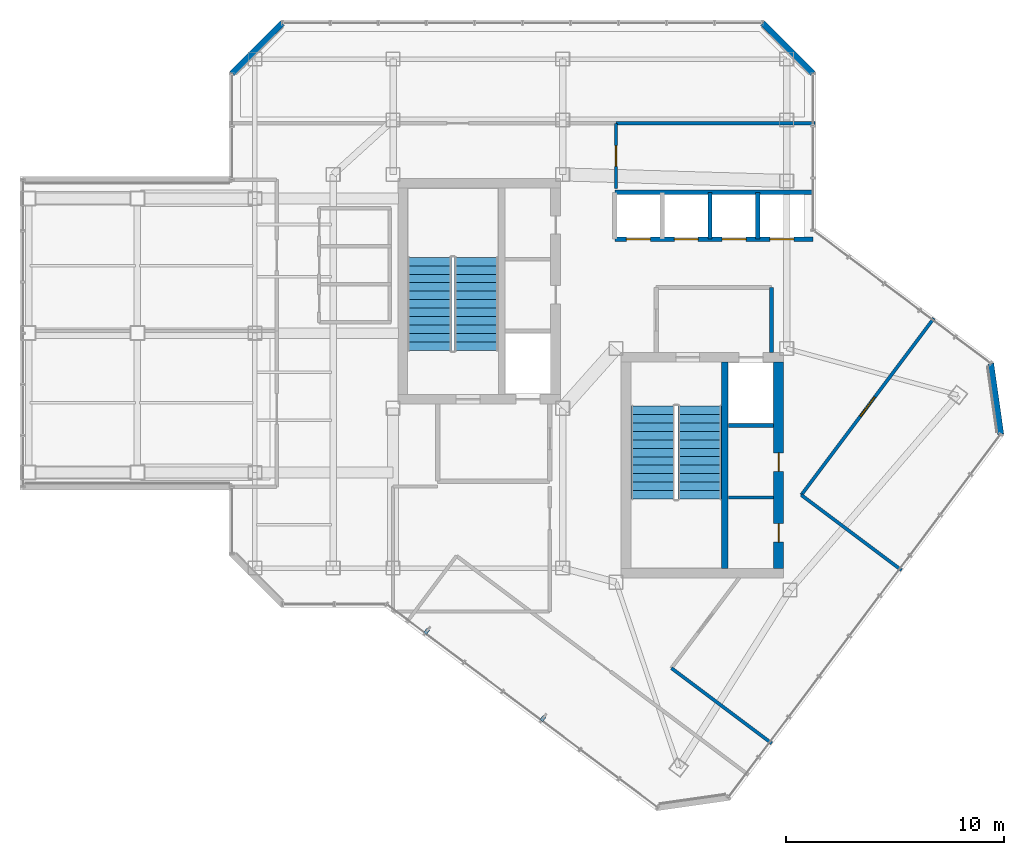
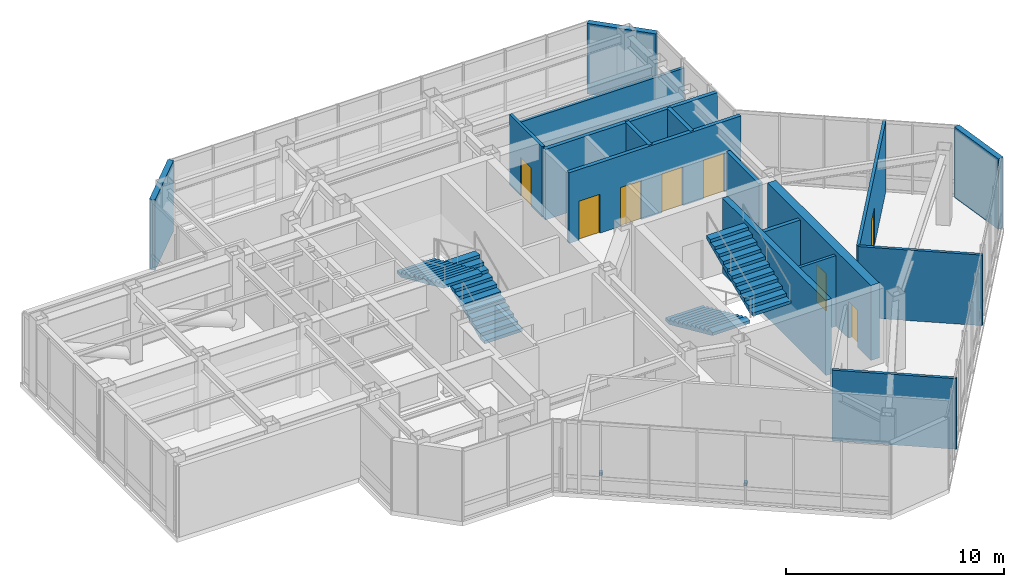
# One storey, part 19 of 22: 17 walls, 8 doors, 4 stair flights, 2 discrete accessories, 8 openings, 2 elements without a shape of their own.
"""IFC4 building model written with IfcOpenShell, lengths in metres."""

from ifc_helpers import new_model, si_unit, direction, frame, frame_2d, origin, origin_2d, place, context, subcontext, project, spatial, polyline, rectangle, outline, extrude, material, layer, layer_set, type_object, element, fill, aggregate, save


model = new_model("IFC4")

# Units and contexts
model_context = context("Model", 3, precision=1e-05, world=origin(), true_north=direction((0.0, 1.0)))
body_context = subcontext(model_context, "Body", "Model", "MODEL_VIEW")
ifc_project = project(units=[si_unit("LENGTHUNIT", "METRE"), si_unit("AREAUNIT", "SQUARE_METRE"), si_unit("VOLUMEUNIT", "CUBIC_METRE"), si_unit("PLANEANGLEUNIT", "RADIAN"), si_unit("MASSUNIT", "GRAM", prefix="KILO")], contexts=[model_context])

# Site, building, storey
site_placement = place(None, origin())
site = spatial("IfcSite", under=ifc_project, at=site_placement, CompositionType="ELEMENT")
building_placement = place(site_placement, origin())
building = spatial("IfcBuilding", under=site, at=building_placement, Name="Hatsunagi Terrace Concourse", CompositionType="ELEMENT")
storey_placement = place(building_placement, frame((0.0, 0.0, 257.550048828125)))
storey = spatial("IfcBuildingStorey", under=building, at=storey_placement, Name="L68", CompositionType="ELEMENT", Elevation=257.550048828125)

# Wall, openings, doors
ifc_material_1 = material(Name="Concrete Fc42", Category="concrete")
ifc_layer_1 = layer(ifc_material_1, 0.449951171875)
ifc_layer_set_1 = layer_set([ifc_layer_1], Name="CoreShearWall_Fc42_450")
wall_type_1 = type_object("IfcWallType", Name="CoreShearWall_Fc42_450", PredefinedType="SHEAR", material=ifc_layer_set_1)
wall_1_placement = place(storey_placement, frame((43.27490234375, 25.18994140625, 0.0), z_axis=(0.0, 0.0, 1.0), x_axis=(0.0, 1.0, 0.0)))
wall_1 = element("IfcWall", 1, at=wall_1_placement, inside=storey, type_object=wall_type_1, Name="Core B Shear Wall E L68", PredefinedType="SHEAR", context=body_context, shape_type="SweptSolid", body=[
    extrude(rectangle(XDim=9.47998046875, YDim=0.449951171875, at=frame_2d((4.739990234375, 0.0))), origin(), (0.0, 0.0, 1.0), 4.199951171875),
])
opening_1_placement = place(wall_1_placement, frame((1.2099609375, 0.0, 0.0)))
opening_1 = element("IfcOpeningElement", 2, at=opening_1_placement, cuts=wall_1, Name="Opening DR-085", PredefinedType="OPENING", context=body_context, shape_type="SweptSolid", body=[
    extrude(rectangle(XDim=0.85009765625, YDim=2.080078125, at=frame_2d((0.425048828125, 1.0400390625))), frame((0.0, 0.23486328125, 0.0), z_axis=(0.0, -1.0, 0.0), x_axis=(1.0, 0.0, 0.0)), (0.0, 0.0, 1.0), 0.469970703125),
])
opening_2_placement = place(wall_1_placement, frame((4.4599609375, 0.0, 0.0)))
opening_2 = element("IfcOpeningElement", 3, at=opening_2_placement, cuts=wall_1, Name="Opening DR-085", PredefinedType="OPENING", context=body_context, shape_type="SweptSolid", body=[
    extrude(rectangle(XDim=0.85009765625, YDim=2.080078125, at=frame_2d((0.425048828125, 1.0400390625))), frame((0.0, 0.23486328125, 0.0), z_axis=(0.0, -1.0, 0.0), x_axis=(1.0, 0.0, 0.0)), (0.0, 0.0, 1.0), 0.469970703125),
])
ifc_material_2 = material(Name="Painted steel", Category="steel")
door_type_1 = type_object("IfcDoorType", Name="RiserAccessDoor_EI60_850", OperationType="NOTDEFINED", PredefinedType="DOOR", material=ifc_material_2)
door_1_placement = place(opening_1_placement, origin())
door_1 = element("IfcDoor", 4, at=door_1_placement, inside=storey, type_object=door_type_1, Name="Core B Riser Door L68-1", OperationType="SINGLE_SWING_RIGHT", OverallHeight=2.080078125, OverallWidth=0.85009765625, PredefinedType="DOOR", context=body_context, shape_type="SweptSolid", body=[
    extrude(rectangle(XDim=0.85009765625, YDim=2.080078125, at=frame_2d((0.425048828125, 1.0400390625))), frame((0.0, 0.02490234375, 0.0), z_axis=(0.0, -1.0, 0.0), x_axis=(1.0, 0.0, 0.0)), (0.0, 0.0, 1.0), 0.050048828125),
])
fill(opening_1, door_1)
door_2_placement = place(opening_2_placement, origin())
door_2 = element("IfcDoor", 5, at=door_2_placement, inside=storey, type_object=door_type_1, Name="Core B Riser Door L68-2", OperationType="SINGLE_SWING_RIGHT", OverallHeight=2.080078125, OverallWidth=0.85009765625, PredefinedType="DOOR", context=body_context, shape_type="SweptSolid", body=[
    extrude(rectangle(XDim=0.85009765625, YDim=2.080078125, at=frame_2d((0.425048828125, 1.0400390625))), frame((0.0, 0.02490234375, 0.0), z_axis=(0.0, -1.0, 0.0), x_axis=(1.0, 0.0, 0.0)), (0.0, 0.0, 1.0), 0.050048828125),
])
fill(opening_2, door_2)

# Walls
ifc_material_3 = material(Name="Concrete Fc48", Category="concrete")
ifc_layer_2 = layer(ifc_material_3, 0.300048828125)
ifc_layer_set_2 = layer_set([ifc_layer_2], Name="CoreStairDivider_Fc48_300")
wall_type_2 = type_object("IfcWallType", Name="CoreStairDivider_Fc48_300", PredefinedType="SHEAR", material=ifc_layer_set_2)
wall_2_placement = place(storey_placement, frame((40.81005859375, 25.18994140625, 0.0), z_axis=(0.0, 0.0, 1.0), x_axis=(0.0, 1.0, 0.0)))
element("IfcWall", 6, at=wall_2_placement, inside=storey, type_object=wall_type_2, Name="Core B Shear Wall D L68", PredefinedType="SHEAR", context=body_context, shape_type="SweptSolid", body=[
    extrude(rectangle(XDim=9.47998046875, YDim=0.300048828125, at=frame_2d((4.739990234375, 0.0))), origin(), (0.0, 0.0, 1.0), 4.199951171875),
])
ifc_material_4 = material(Name="Acoustic mineral board", Category="gypsum")
ifc_layer_3 = layer(ifc_material_4, 0.14990234375)
ifc_layer_set_3 = layer_set([ifc_layer_3], Name="PartitionWall_EI60_150")
wall_type_3 = type_object("IfcWallType", Name="PartitionWall_EI60_150", PredefinedType="PARTITIONING", material=ifc_layer_set_3)
wall_3_placement = place(storey_placement, frame((40.969970703125, 28.449951171875, 0.0), z_axis=(0.0, 0.0, 1.0), x_axis=(1.0, 0.0, 0.0)))
element("IfcWall", 7, at=wall_3_placement, inside=storey, type_object=wall_type_3, Name="Interior Partition IW-L68-004", PredefinedType="PARTITIONING", context=body_context, shape_type="SweptSolid", body=[
    extrude(rectangle(XDim=2.080078125, YDim=0.14990234375, at=frame_2d((1.0400390625, 0.0))), origin(), (0.0, 0.0, 1.0), 3.949951171875),
])
wall_4_placement = place(storey_placement, frame((35.800048828125, 45.64990234375, 0.0), z_axis=(0.0, 0.0, 1.0), x_axis=(1.0, 0.0, 0.0)))
element("IfcWall", 8, at=wall_4_placement, inside=storey, type_object=wall_type_3, Name="Interior Partition IW-L68-029", PredefinedType="PARTITIONING", context=body_context, shape_type="SweptSolid", body=[
    extrude(rectangle(XDim=9.159912109375, YDim=0.14990234375, at=frame_2d((4.580078125, 0.0))), origin(), (0.0, 0.0, 1.0), 3.35693359375),
])

# Wall, opening, door
wall_5_placement = place(storey_placement, frame((35.800048828125, 42.64990234375, 0.0), z_axis=(0.0, 0.0, 1.0), x_axis=(0.0, 1.0, 0.0)))
wall_5 = element("IfcWall", 9, at=wall_5_placement, inside=storey, type_object=wall_type_3, Name="Interior Partition IW-L68-030", PredefinedType="PARTITIONING", context=body_context, shape_type="SweptSolid", body=[
    extrude(rectangle(XDim=3.0, YDim=0.14990234375, at=frame_2d((1.5, 0.0))), origin(), (0.0, 0.0, 1.0), 3.949951171875),
])
opening_3_placement = place(wall_5_placement, frame((1.02490234375, 0.0, 0.0)))
opening_3 = element("IfcOpeningElement", 10, at=opening_3_placement, cuts=wall_5, Name="Opening DR-095", PredefinedType="OPENING", context=body_context, shape_type="SweptSolid", body=[
    extrude(rectangle(XDim=0.949951171875, YDim=2.14990234375, at=frame_2d((0.47509765625, 1.074951171875))), frame((0.0, 0.0849609375, 0.0), z_axis=(0.0, -1.0, 0.0), x_axis=(1.0, 0.0, 0.0)), (0.0, 0.0, 1.0), 0.169921875),
])
ifc_material_5 = material(Name="Hardwood timber", Category="wood")
door_type_2 = type_object("IfcDoorType", Name="InteriorSuiteDoor_EI30_950", OperationType="NOTDEFINED", PredefinedType="DOOR", material=ifc_material_5)
door_3_placement = place(opening_3_placement, origin())
door_3 = element("IfcDoor", 11, at=door_3_placement, inside=storey, type_object=door_type_2, Name="Wine Tasting Salon L68-SLNE Door", OperationType="SINGLE_SWING_RIGHT", OverallHeight=2.14990234375, OverallWidth=0.949951171875, PredefinedType="DOOR", context=body_context, shape_type="SweptSolid", body=[
    extrude(rectangle(XDim=0.949951171875, YDim=2.14990234375, at=frame_2d((0.47509765625, 1.074951171875))), frame((0.0, 0.02490234375, 0.0), z_axis=(0.0, -1.0, 0.0), x_axis=(1.0, 0.0, 0.0)), (0.0, 0.0, 1.0), 0.050048828125),
])
fill(opening_3, door_3)

# Walls
for number, where, z_axis, x_axis, name in (
    (12, (38.35009765625, 20.60009765625, 0.0), (0.0, 0.0, 1.0), (0.79998982729, -0.600013563374, 0.0), "Interior Partition IW-L68-039"),
    (13, (44.320068359375, 28.56005859375, 0.0), (0.0, 0.0, 1.0), (0.79998982729, -0.600013563374, 0.0), "Interior Partition IW-L68-040"),
):
    element("IfcWall", number, at=place(storey_placement, frame(where, z_axis=z_axis, x_axis=x_axis)), inside=storey, type_object=wall_type_3, Name=name, PredefinedType="PARTITIONING", context=body_context, shape_type="SweptSolid", body=[
        extrude(rectangle(XDim=5.760009765625, YDim=0.14990234375, at=frame_2d((2.8798828125, 0.0))), origin(), (0.0, 0.0, 1.0), 3.949951171875),
    ])

# Wall, opening, door
wall_6_placement = place(storey_placement, frame((44.320068359375, 28.56005859375, 0.0), z_axis=(0.0, 0.0, 1.0), x_axis=(0.6, 0.8, 0.0)))
wall_6 = element("IfcWall", 14, at=wall_6_placement, inside=storey, type_object=wall_type_3, Name="Interior Partition IW-L68-042", PredefinedType="PARTITIONING", context=body_context, shape_type="SweptSolid", body=[
    extrude(rectangle(XDim=10.159912109375, YDim=0.14990234375, at=frame_2d((5.080078125, 0.0))), origin(), (0.0, 0.0, 1.0), 3.949951171875),
])
opening_4_placement = place(wall_6_placement, frame((4.530029296875, 0.0, 0.0)))
opening_4 = element("IfcOpeningElement", 15, at=opening_4_placement, cuts=wall_6, Name="Opening DR-110W", PredefinedType="OPENING", context=body_context, shape_type="SweptSolid", body=[
    extrude(rectangle(XDim=1.10009765625, YDim=2.159912109375, at=frame_2d((0.550048828125, 1.080078125))), frame((0.0, 0.0849609375, 0.0), z_axis=(0.0, -1.0, 0.0), x_axis=(1.0, 0.0, 0.0)), (0.0, 0.0, 1.0), 0.169921875),
])
ifc_material_6 = material(Name="Hardwood timber", Category="wood")
door_type_3 = type_object("IfcDoorType", Name="SuiteWideDoor_EI30_1100", OperationType="NOTDEFINED", PredefinedType="DOOR", material=ifc_material_6)
door_4_placement = place(opening_4_placement, origin())
door_4 = element("IfcDoor", 16, at=door_4_placement, inside=storey, type_object=door_type_3, Name="VIP Lounge L68-PDS2 Door", OperationType="SINGLE_SWING_LEFT", OverallHeight=2.159912109375, OverallWidth=1.10009765625, PredefinedType="DOOR", context=body_context, shape_type="SweptSolid", body=[
    extrude(rectangle(XDim=1.10009765625, YDim=2.159912109375, at=frame_2d((0.550048828125, 1.080078125))), frame((0.0, 0.02490234375, 0.0), z_axis=(0.0, -1.0, 0.0), x_axis=(1.0, 0.0, 0.0)), (0.0, 0.0, 1.0), 0.050048828125),
])
fill(opening_4, door_4)

# Walls
ifc_material_7 = material(Name="Acoustic mineral board", Category="gypsum")
ifc_layer_4 = layer(ifc_material_7, 0.199951171875)
ifc_layer_set_4 = layer_set([ifc_layer_4], Name="ShaftWall_EI120_200")
wall_type_4 = type_object("IfcWallType", Name="ShaftWall_EI120_200", PredefinedType="STANDARD", material=ifc_layer_set_4)
wall_7_placement = place(storey_placement, frame((40.969970703125, 31.760009765625, 0.0), z_axis=(0.0, 0.0, 1.0), x_axis=(1.0, 0.0, 0.0)))
element("IfcWall", 17, at=wall_7_placement, inside=storey, type_object=wall_type_4, Name="Interior Partition IW-L68-003", PredefinedType="STANDARD", context=body_context, shape_type="SweptSolid", body=[
    extrude(rectangle(XDim=2.080078125, YDim=0.199951171875, at=frame_2d((1.0400390625, 0.0))), origin(), (0.0, 0.0, 1.0), 3.949951171875),
])
wall_8_placement = place(storey_placement, frame((42.949951171875, 35.1201171875, 0.0), z_axis=(0.0, 0.0, 1.0), x_axis=(0.0, 1.0, 0.0)))
element("IfcWall", 18, at=wall_8_placement, inside=storey, type_object=wall_type_4, Name="Interior Partition IW-L68-009", PredefinedType="STANDARD", context=body_context, shape_type="SweptSolid", body=[
    extrude(rectangle(XDim=2.97998046875, YDim=0.199951171875, at=frame_2d((1.489990234375, 0.0))), origin(), (0.0, 0.0, 1.0), 3.949951171875),
])
wall_9_placement = place(storey_placement, frame((35.75, 42.47998046875, 0.0), z_axis=(0.0, 0.0, 1.0), x_axis=(1.0, 0.0, 0.0)))
element("IfcWall", 19, at=wall_9_placement, inside=storey, type_object=wall_type_4, Name="Interior Partition IW-L68-011", PredefinedType="STANDARD", context=body_context, shape_type="SweptSolid", body=[
    extrude(rectangle(XDim=9.110107421875, YDim=0.199951171875, at=frame_2d((4.55517578125, 0.0))), origin(), (0.0, 0.0, 1.0), 3.949951171875),
])
for number, where, z_axis, x_axis, name in (
    (20, (40.1201171875, 40.320068359375, 0.0), (0.0, 0.0, 1.0), (0.0, 1.0, 0.0), "Interior Partition IW-L68-014"),
    (21, (42.320068359375, 40.320068359375, 0.0), (0.0, 0.0, 1.0), (0.0, 1.0, 0.0), "Interior Partition IW-L68-015"),
):
    element("IfcWall", number, at=place(storey_placement, frame(where, z_axis=z_axis, x_axis=x_axis)), inside=storey, type_object=wall_type_4, Name=name, PredefinedType="STANDARD", context=body_context, shape_type="SweptSolid", body=[
        extrude(rectangle(XDim=2.159912109375, YDim=0.199951171875, at=frame_2d((1.080078125, 0.0))), origin(), (0.0, 0.0, 1.0), 3.949951171875),
    ])

# Wall, openings, doors
wall_10_placement = place(storey_placement, frame((35.75, 40.320068359375, 0.0), z_axis=(0.0, 0.0, 1.0), x_axis=(1.0, 0.0, 0.0)))
wall_10 = element("IfcWall", 22, at=wall_10_placement, inside=storey, type_object=wall_type_4, Name="Interior Partition IW-L68-016", PredefinedType="STANDARD", context=body_context, shape_type="SweptSolid", body=[
    extrude(rectangle(XDim=9.110107421875, YDim=0.199951171875, at=frame_2d((4.55517578125, 0.0))), origin(), (0.0, 0.0, 1.0), 3.949951171875),
])
opening_5_placement = place(wall_10_placement, frame((0.530029296875, 0.0, 0.0)))
opening_5 = element("IfcOpeningElement", 23, at=opening_5_placement, cuts=wall_10, Name="Opening LD-04", PredefinedType="OPENING", context=body_context, shape_type="SweptSolid", body=[
    extrude(rectangle(XDim=1.10009765625, YDim=2.179931640625, at=frame_2d((0.550048828125, 1.08984375))), frame((0.0, 0.10986328125, 0.0), z_axis=(0.0, -1.0, 0.0), x_axis=(1.0, 0.0, 0.0)), (0.0, 0.0, 1.0), 0.219970703125),
])
opening_6_placement = place(wall_10_placement, frame((2.72998046875, 0.0, 0.0)))
opening_6 = element("IfcOpeningElement", 24, at=opening_6_placement, cuts=wall_10, Name="Opening LD-04", PredefinedType="OPENING", context=body_context, shape_type="SweptSolid", body=[
    extrude(rectangle(XDim=1.10009765625, YDim=2.179931640625, at=frame_2d((0.550048828125, 1.08984375))), frame((0.0, 0.10986328125, 0.0), z_axis=(0.0, -1.0, 0.0), x_axis=(1.0, 0.0, 0.0)), (0.0, 0.0, 1.0), 0.219970703125),
])
opening_7_placement = place(wall_10_placement, frame((4.929931640625, 0.0, 0.0)))
opening_7 = element("IfcOpeningElement", 25, at=opening_7_placement, cuts=wall_10, Name="Opening LD-04", PredefinedType="OPENING", context=body_context, shape_type="SweptSolid", body=[
    extrude(rectangle(XDim=1.10009765625, YDim=2.179931640625, at=frame_2d((0.550048828125, 1.08984375))), frame((0.0, 0.10986328125, 0.0), z_axis=(0.0, -1.0, 0.0), x_axis=(1.0, 0.0, 0.0)), (0.0, 0.0, 1.0), 0.219970703125),
])
opening_8_placement = place(wall_10_placement, frame((7.1298828125, 0.0, 0.0)))
opening_8 = element("IfcOpeningElement", 26, at=opening_8_placement, cuts=wall_10, Name="Opening LD-04", PredefinedType="OPENING", context=body_context, shape_type="SweptSolid", body=[
    extrude(rectangle(XDim=1.10009765625, YDim=2.179931640625, at=frame_2d((0.550048828125, 1.08984375))), frame((0.0, 0.10986328125, 0.0), z_axis=(0.0, -1.0, 0.0), x_axis=(1.0, 0.0, 0.0)), (0.0, 0.0, 1.0), 0.219970703125),
])
ifc_material_8 = material(Name="Stainless steel", Category="steel")
door_type_4 = type_object("IfcDoorType", Name="LiftLandingDoor_LD04", OperationType="SLIDING_TO_RIGHT", PredefinedType="USERDEFINED", material=ifc_material_8)
door_5_placement = place(opening_5_placement, origin())
door_5 = element("IfcDoor", 27, at=door_5_placement, inside=storey, type_object=door_type_4, Name="Lift landing door PL-05 L68", ObjectType="SLIDING_LANDING_DOOR", OperationType="SLIDING_TO_RIGHT", OverallHeight=2.179931640625, OverallWidth=1.10009765625, PredefinedType="USERDEFINED", context=body_context, shape_type="SweptSolid", body=[
    extrude(rectangle(XDim=1.10009765625, YDim=2.179931640625, at=frame_2d((0.550048828125, 1.08984375))), frame((0.0, 0.02490234375, 0.0), z_axis=(0.0, -1.0, 0.0), x_axis=(1.0, 0.0, 0.0)), (0.0, 0.0, 1.0), 0.050048828125),
])
fill(opening_5, door_5)
door_6_placement = place(opening_6_placement, origin())
door_6 = element("IfcDoor", 28, at=door_6_placement, inside=storey, type_object=door_type_4, Name="Lift landing door PL-06 L68", ObjectType="SLIDING_LANDING_DOOR", OperationType="SLIDING_TO_RIGHT", OverallHeight=2.179931640625, OverallWidth=1.10009765625, PredefinedType="USERDEFINED", context=body_context, shape_type="SweptSolid", body=[
    extrude(rectangle(XDim=1.10009765625, YDim=2.179931640625, at=frame_2d((0.550048828125, 1.08984375))), frame((0.0, 0.02490234375, 0.0), z_axis=(0.0, -1.0, 0.0), x_axis=(1.0, 0.0, 0.0)), (0.0, 0.0, 1.0), 0.050048828125),
])
fill(opening_6, door_6)
door_7_placement = place(opening_7_placement, origin())
door_7 = element("IfcDoor", 29, at=door_7_placement, inside=storey, type_object=door_type_4, Name="Lift landing door PL-07 L68", ObjectType="SLIDING_LANDING_DOOR", OperationType="SLIDING_TO_RIGHT", OverallHeight=2.179931640625, OverallWidth=1.10009765625, PredefinedType="USERDEFINED", context=body_context, shape_type="SweptSolid", body=[
    extrude(rectangle(XDim=1.10009765625, YDim=2.179931640625, at=frame_2d((0.550048828125, 1.08984375))), frame((0.0, 0.02490234375, 0.0), z_axis=(0.0, -1.0, 0.0), x_axis=(1.0, 0.0, 0.0)), (0.0, 0.0, 1.0), 0.050048828125),
])
fill(opening_7, door_7)
door_8_placement = place(opening_8_placement, origin())
door_8 = element("IfcDoor", 30, at=door_8_placement, inside=storey, type_object=door_type_4, Name="Lift landing door PL-08 L68", ObjectType="SLIDING_LANDING_DOOR", OperationType="SLIDING_TO_RIGHT", OverallHeight=2.179931640625, OverallWidth=1.10009765625, PredefinedType="USERDEFINED", context=body_context, shape_type="SweptSolid", body=[
    extrude(rectangle(XDim=1.10009765625, YDim=2.179931640625, at=frame_2d((0.550048828125, 1.08984375))), frame((0.0, 0.02490234375, 0.0), z_axis=(0.0, -1.0, 0.0), x_axis=(1.0, 0.0, 0.0)), (0.0, 0.0, 1.0), 0.050048828125),
])
fill(opening_8, door_8)

# Walls
ifc_material_9 = material(Name="Autoclaved Lightweight Concrete and Terracotta Cladding", Category="masonry")
ifc_layer_5 = layer(ifc_material_9, 0.280029296875)
ifc_layer_set_5 = layer_set([ifc_layer_5], Name="TerracottaSpandrelWall_280")
wall_type_5 = type_object("IfcWallType", Name="TerracottaSpandrelWall_280", PredefinedType="STANDARD", material=ifc_layer_set_5)
for number, where, z_axis, x_axis, name in (
    (31, (18.139892578125, 47.94189453125, 0.0), (0.0, 0.0, 1.0), (0.707106781187, 0.707106781187, 0.0), "Exterior Spandrel Wall EW-L68-02"),
    (32, (42.5419921875, 50.260009765625, 0.0), (0.0, 0.0, 1.0), (0.707106781187, -0.707106781187, 0.0), "Exterior Spandrel Wall EW-L68-04"),
):
    element("IfcWall", number, at=place(storey_placement, frame(where, z_axis=z_axis, x_axis=x_axis)), inside=storey, type_object=wall_type_5, Name=name, PredefinedType="STANDARD", context=body_context, shape_type="SweptSolid", body=[
        extrude(rectangle(XDim=3.2783203125, YDim=0.280029296875, at=frame_2d((1.63916015625, 0.0))), origin(), (0.0, 0.0, 1.0), 3.949951171875),
    ])
wall_11_placement = place(storey_placement, frame((53.030029296875, 34.60302734375, 0.0), z_axis=(0.0, 0.0, 1.0), x_axis=(0.141212810973, -0.989979263428, 0.0)))
element("IfcWall", 33, at=wall_11_placement, inside=storey, type_object=wall_type_5, Name="Exterior Spandrel Wall EW-L68-07", PredefinedType="STANDARD", context=body_context, shape_type="SweptSolid", body=[
    extrude(rectangle(XDim=3.278076171875, YDim=0.280029296875, at=frame_2d((1.63916015625, 0.0))), origin(), (0.0, 0.0, 1.0), 3.949951171875),
])

# Stair, stair flights
ifc_material_10 = material(Name="Concrete Fc42", Category="concrete")
stair_type = type_object("IfcStairType", Name="DoglegExitStair_Tower2000_24R_175", PredefinedType="HALF_TURN_STAIR", material=ifc_material_10)
stair_1_placement = place(storey_placement, origin())
stair_1 = element("IfcStair", 34, at=stair_1_placement, inside=storey, type_object=stair_type, Name="L68 Core A Protected Exit Stair ST-A", PredefinedType="HALF_TURN_STAIR")
ifc_material_11 = material(Name="Concrete Fc42", Category="concrete")
stair_flight_type = type_object("IfcStairFlightType", Name="DoglegStairFlight_Tower2000_24R_175", PredefinedType="STRAIGHT", material=ifc_material_11)
stair_flight_1_placement = place(storey_placement, frame((29.3798828125, 35.199951171875, 0.0), z_axis=(0.0, 0.0, 1.0), x_axis=(0.0, 1.0, 0.0)))
stair_flight_1 = element("IfcStairFlight", 35, at=stair_flight_1_placement, type_object=stair_flight_type, Name="ST-A flight 1", NumberOfRisers=12, NumberOfTreads=11, PredefinedType="STRAIGHT", RiserHeight=0.175, TreadLength=0.39, context=body_context, shape_type="SweptSolid", body=[
    extrude(outline(polyline([(0.0, 0.0), (0.0, 0.175048828125), (0.389892578125, 0.175048828125), (0.389892578125, 0.35009765625), (0.780029296875, 0.35009765625), (0.780029296875, 0.52490234375), (1.169921875, 0.52490234375), (1.169921875, 0.699951171875), (1.56005859375, 0.699951171875), (1.56005859375, 0.875), (1.949951171875, 0.875), (1.949951171875, 1.050048828125), (2.340087890625, 1.050048828125), (2.340087890625, 1.22509765625), (2.72998046875, 1.22509765625), (2.72998046875, 1.39990234375), (3.1201171875, 1.39990234375), (3.1201171875, 1.574951171875), (3.510009765625, 1.574951171875), (3.510009765625, 1.75), (3.89990234375, 1.75), (3.89990234375, 1.925048828125), (4.2900390625, 1.925048828125), (4.2900390625, 2.10009765625), (4.2900390625, 1.7607421875), (0.3662109375, 0.0), (0.0, 0.0)])), frame((0.0, 1.0, 0.0), z_axis=(0.0, -1.0, 0.0), x_axis=(1.0, 0.0, 0.0)), (0.0, 0.0, 1.0), 2.0),
])
stair_flight_2_placement = place(storey_placement, frame((27.22998046875, 39.489990234375, 2.099853515625), z_axis=(0.0, 0.0, 1.0), x_axis=(0.0, -1.0, 0.0)))
stair_flight_2 = element("IfcStairFlight", 36, at=stair_flight_2_placement, type_object=stair_flight_type, Name="ST-A flight 2", NumberOfRisers=12, NumberOfTreads=11, PredefinedType="STRAIGHT", RiserHeight=0.175, TreadLength=0.39, context=body_context, shape_type="SweptSolid", body=[
    extrude(outline(polyline([(0.0, 0.0), (0.0, 0.175048828125), (0.389892578125, 0.175048828125), (0.389892578125, 0.35009765625), (0.780029296875, 0.35009765625), (0.780029296875, 0.52490234375), (1.169921875, 0.52490234375), (1.169921875, 0.699951171875), (1.56005859375, 0.699951171875), (1.56005859375, 0.875), (1.949951171875, 0.875), (1.949951171875, 1.050048828125), (2.340087890625, 1.050048828125), (2.340087890625, 1.22509765625), (2.72998046875, 1.22509765625), (2.72998046875, 1.39990234375), (3.1201171875, 1.39990234375), (3.1201171875, 1.574951171875), (3.510009765625, 1.574951171875), (3.510009765625, 1.75), (3.89990234375, 1.75), (3.89990234375, 1.925048828125), (4.2900390625, 1.925048828125), (4.2900390625, 2.10009765625), (4.2900390625, 1.7607421875), (0.3662109375, 0.0), (0.0, 0.0)])), frame((0.0, 1.0, 0.0), z_axis=(0.0, -1.0, 0.0), x_axis=(1.0, 0.0, 0.0)), (0.0, 0.0, 1.0), 2.0),
])
aggregate(stair_1, [stair_flight_1, stair_flight_2])

stair_2_placement = place(storey_placement, origin())
stair_2 = element("IfcStair", 37, at=stair_2_placement, inside=storey, type_object=stair_type, Name="L68 Core B Protected Exit Stair ST-B", PredefinedType="HALF_TURN_STAIR")
stair_flight_3_placement = place(storey_placement, frame((37.5, 32.659912109375, 0.0), z_axis=(0.0, 0.0, 1.0), x_axis=(0.0, -1.0, 0.0)))
stair_flight_3 = element("IfcStairFlight", 38, at=stair_flight_3_placement, type_object=stair_flight_type, Name="ST-B flight 1", NumberOfRisers=12, NumberOfTreads=11, PredefinedType="STRAIGHT", RiserHeight=0.175, TreadLength=0.39, context=body_context, shape_type="SweptSolid", body=[
    extrude(outline(polyline([(0.0, 0.0), (0.0, 0.175048828125), (0.389892578125, 0.175048828125), (0.389892578125, 0.35009765625), (0.780029296875, 0.35009765625), (0.780029296875, 0.52490234375), (1.169921875, 0.52490234375), (1.169921875, 0.699951171875), (1.56005859375, 0.699951171875), (1.56005859375, 0.875), (1.949951171875, 0.875), (1.949951171875, 1.050048828125), (2.340087890625, 1.050048828125), (2.340087890625, 1.22509765625), (2.72998046875, 1.22509765625), (2.72998046875, 1.39990234375), (3.1201171875, 1.39990234375), (3.1201171875, 1.574951171875), (3.510009765625, 1.574951171875), (3.510009765625, 1.75), (3.89990234375, 1.75), (3.89990234375, 1.925048828125), (4.2900390625, 1.925048828125), (4.2900390625, 2.10009765625), (4.2900390625, 1.7607421875), (0.3662109375, 0.0), (0.0, 0.0)])), frame((0.0, 1.0, 0.0), z_axis=(0.0, -1.0, 0.0), x_axis=(1.0, 0.0, 0.0)), (0.0, 0.0, 1.0), 2.0),
])
stair_flight_4_placement = place(storey_placement, frame((39.64990234375, 28.3701171875, 2.099853515625), z_axis=(0.0, 0.0, 1.0), x_axis=(0.0, 1.0, 0.0)))
stair_flight_4 = element("IfcStairFlight", 39, at=stair_flight_4_placement, type_object=stair_flight_type, Name="ST-B flight 2", NumberOfRisers=12, NumberOfTreads=11, PredefinedType="STRAIGHT", RiserHeight=0.175, TreadLength=0.39, context=body_context, shape_type="SweptSolid", body=[
    extrude(outline(polyline([(0.0, 0.0), (0.0, 0.175048828125), (0.389892578125, 0.175048828125), (0.389892578125, 0.35009765625), (0.780029296875, 0.35009765625), (0.780029296875, 0.52490234375), (1.169921875, 0.52490234375), (1.169921875, 0.699951171875), (1.56005859375, 0.699951171875), (1.56005859375, 0.875), (1.949951171875, 0.875), (1.949951171875, 1.050048828125), (2.340087890625, 1.050048828125), (2.340087890625, 1.22509765625), (2.72998046875, 1.22509765625), (2.72998046875, 1.39990234375), (3.1201171875, 1.39990234375), (3.1201171875, 1.574951171875), (3.510009765625, 1.574951171875), (3.510009765625, 1.75), (3.89990234375, 1.75), (3.89990234375, 1.925048828125), (4.2900390625, 1.925048828125), (4.2900390625, 2.10009765625), (4.2900390625, 1.7607421875), (0.3662109375, 0.0), (0.0, 0.0)])), frame((0.0, 1.0, 0.0), z_axis=(0.0, -1.0, 0.0), x_axis=(1.0, 0.0, 0.0)), (0.0, 0.0, 1.0), 2.0),
])
aggregate(stair_2, [stair_flight_3, stair_flight_4])

# Discrete accessories
ifc_material_12 = material(Name="Stainless Steel SUS316 Bracket", Category="steel")
discrete_accessory_type = type_object("IfcDiscreteAccessoryType", Name="FacadeScreenSupportBracket_SS", PredefinedType="BRACKET", material=ifc_material_12)
for number, where, z_axis, x_axis, name in (
    (40, (32.43896484375, 18.282958984375, 0.97021484375), (0.0, 0.0, 1.0), (-0.800007305671, 0.599990258982, 0.0), "Terracotta Screen Bracket BRK-01"),
    (41, (27.094970703125, 22.2919921875, 0.97021484375), (0.0, 0.0, 1.0), (-0.800007305671, 0.599990258982, 0.0), "Terracotta Screen Bracket BRK-01"),
):
    element("IfcDiscreteAccessory", number, at=place(storey_placement, frame(where, z_axis=z_axis, x_axis=x_axis)), inside=storey, type_object=discrete_accessory_type, Name=name, PredefinedType="BRACKET", context=body_context, shape_type="SweptSolid", body=[
        extrude(rectangle(XDim=0.159912109375, YDim=0.239990234375, at=origin_2d()), origin(), (0.0, 0.0, 1.0), 0.159912109375),
    ])

save(model, "model.ifc")
